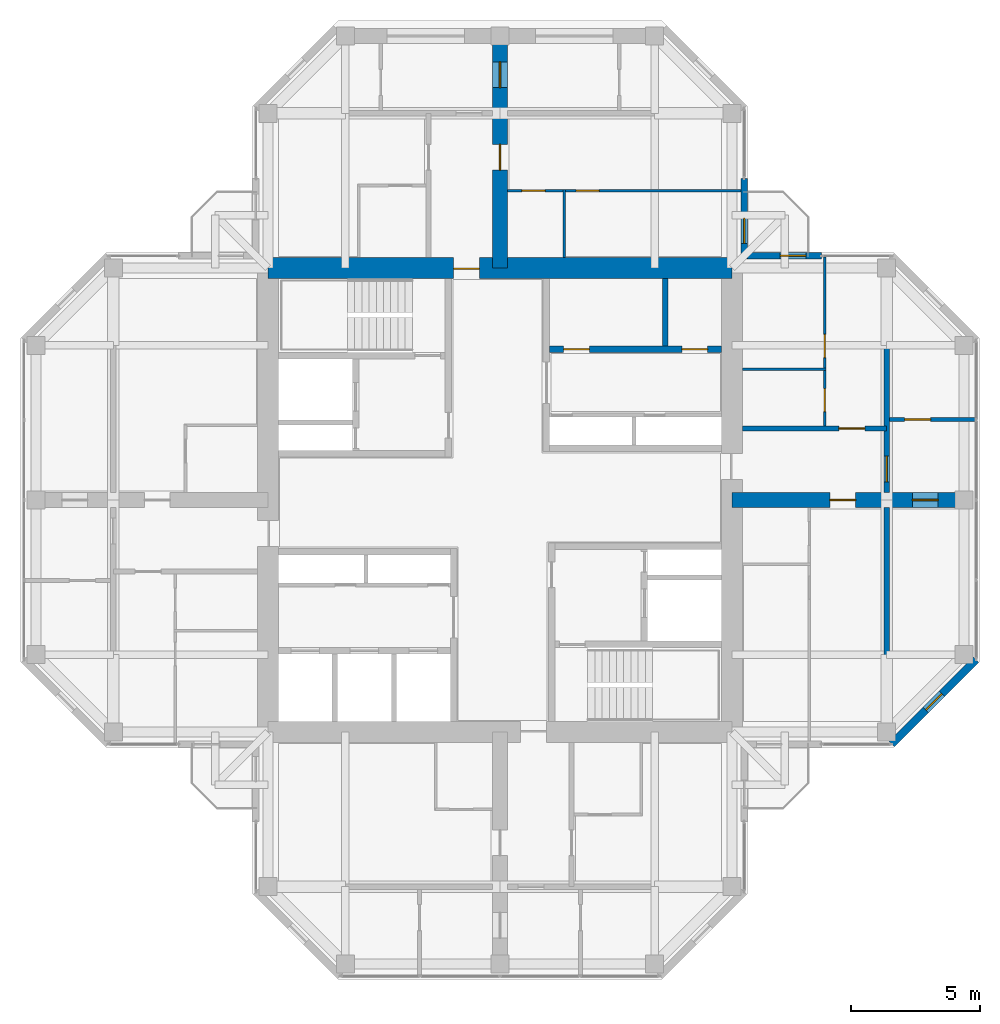
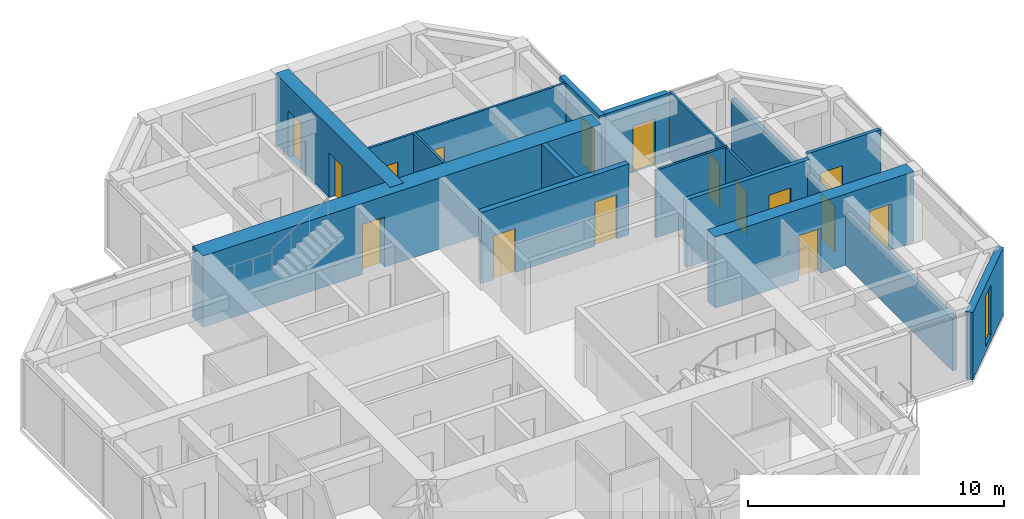
# One storey, part 11 of 13: 16 doors, 16 walls, 1 window, 17 openings.
"""IFC4 building model written with IfcOpenShell, lengths in metres."""

import ifcopenshell
import ifcopenshell.guid

model = None  # the IFC model being written
_history = None  # IfcOwnerHistory: only IFC2X3 demands one
_inside = {}  # id of a spatial element -> (the spatial element, [elements in it])
_under = {}  # id of a project, library or spatial element -> (it, [spatial elements below it])
_declared = {}  # id of a project -> (the project, [libraries it declares])
_typed = {}  # id of a type object -> (the type object, [elements of that type])
_made_of = {}  # id of a material, layer set ... -> (it, [elements and type objects made of it])


def new_model(schema):
    """Start an empty IFC model of exactly this schema.

    Asked for "IFC4X3", IfcOpenShell would pick the latest addendum, in which some entities
    have other attributes; the version numbers below select the first issue.
    IFC2X3 requires an IfcOwnerHistory on every rooted entity: one is made here for all.
    """
    global model, _history
    if schema == "IFC4X3":
        model = ifcopenshell.file(schema_version=(4, 3, 0, 0))
    else:
        model = ifcopenshell.file(schema=schema)
    _inside.clear()
    _under.clear()
    _declared.clear()
    _typed.clear()
    _made_of.clear()
    _history = None
    if model.schema == "IFC2X3":
        org = make("IfcOrganization", Name="unknown")
        user = make(
            "IfcPersonAndOrganization",
            ThePerson=make("IfcPerson", FamilyName="unknown"),
            TheOrganization=org,
        )
        app = make(
            "IfcApplication",
            ApplicationDeveloper=org,
            Version="unknown",
            ApplicationFullName="unknown",
            ApplicationIdentifier="unknown",
        )
        _history = make(
            "IfcOwnerHistory",
            OwningUser=user,
            OwningApplication=app,
            ChangeAction="ADDED",
            CreationDate=0,
        )
    return model


def make(cls, **values):
    """One entity of the class cls with the attributes given. An attribute that is None is left unset."""
    return model.create_entity(
        cls, **{name: value for name, value in values.items() if value is not None}
    )


def rooted(cls, **values):
    """An entity with a GlobalId (a new one), such as an element, a storey or a relation."""
    return make(cls, GlobalId=ifcopenshell.guid.new(), OwnerHistory=_history, **values)


def si_unit(unit_type, name, prefix=None):
    """IfcSIUnit, for example si_unit("LENGTHUNIT", "METRE", prefix="MILLI")."""
    return make("IfcSIUnit", UnitType=unit_type, Prefix=prefix, Name=name)


def assignment(units):
    """IfcUnitAssignment: the units of a project."""
    return None if units is None else make("IfcUnitAssignment", Units=units)


def point(xyz):
    """IfcCartesianPoint."""
    return None if xyz is None else make("IfcCartesianPoint", Coordinates=xyz)


def direction(xyz):
    """IfcDirection."""
    return None if xyz is None else make("IfcDirection", DirectionRatios=xyz)


def frame(location, z_axis=None, x_axis=None):
    """IfcAxis2Placement3D, a coordinate frame: its origin and axes. An axis left out is left unset."""
    return make(
        "IfcAxis2Placement3D",
        Location=point(location),
        Axis=direction(z_axis),
        RefDirection=direction(x_axis),
    )


def frame_2d(location, x_axis=None):
    """IfcAxis2Placement2D, a coordinate frame in the plane: its origin and x axis."""
    return make(
        "IfcAxis2Placement2D", Location=point(location), RefDirection=direction(x_axis)
    )


def origin():
    """The frame at (0, 0, 0) with its axes left unset."""
    return frame((0.0, 0.0, 0.0))


def place(relative_to, where):
    """IfcLocalPlacement: puts the frame where relative to a parent placement (None: the world)."""
    return make(
        "IfcLocalPlacement", PlacementRelTo=relative_to, RelativePlacement=where
    )


def context(
    kind, dimensions, precision=None, world=None, true_north=None, identifier=None
):
    """IfcGeometricRepresentationContext, for example the 3D "Model" context."""
    return make(
        "IfcGeometricRepresentationContext",
        ContextIdentifier=identifier,
        ContextType=kind,
        CoordinateSpaceDimension=dimensions,
        Precision=precision,
        WorldCoordinateSystem=world,
        TrueNorth=true_north,
    )


def subcontext(parent, identifier, kind, view, scale=None):
    """IfcGeometricRepresentationSubContext, for example "Body" below "Model"."""
    return make(
        "IfcGeometricRepresentationSubContext",
        ContextIdentifier=identifier,
        ContextType=kind,
        ParentContext=parent,
        TargetScale=scale,
        TargetView=view,
    )


def project(units=None, contexts=None):
    """IfcProject with its units and contexts."""
    return rooted(
        "IfcProject",
        Name="project",
        RepresentationContexts=contexts,
        UnitsInContext=assignment(units),
    )


def spatial(cls, under=None, at=None, **own):
    """A site, building, storey or space (cls), placed at a placement, below another one or the project."""
    s = rooted(cls, ObjectPlacement=at, **own)
    if under is not None:
        _under.setdefault(under.id(), (under, []))[1].append(s)
    return s


def profile(cls, at=None, kind="AREA", **sizes):
    """A parametric profile (cls). Its sizes go by their IFC names, for example OverallWidth=200.0."""
    return make(cls, ProfileType=kind, Position=at, **sizes)


def rectangle(**sizes):
    """IfcRectangleProfileDef."""
    return profile("IfcRectangleProfileDef", **sizes)


def hollow_rectangle(**sizes):
    """IfcRectangleHollowProfileDef."""
    return profile("IfcRectangleHollowProfileDef", **sizes)


def extrude(swept, where, along, depth):
    """IfcExtrudedAreaSolid: the profile swept, set in the frame where, extruded along a direction by depth."""
    return make(
        "IfcExtrudedAreaSolid",
        SweptArea=swept,
        Position=where,
        ExtrudedDirection=direction(along),
        Depth=depth,
    )


def shape(context_of_items, identifier, shape_type, items):
    """IfcShapeRepresentation: the items that make up one representation, for example the "Body"."""
    return make(
        "IfcShapeRepresentation",
        ContextOfItems=context_of_items,
        RepresentationIdentifier=identifier,
        RepresentationType=shape_type,
        Items=items,
    )


def material(Name=None, Category=None):
    """IfcMaterial."""
    return make("IfcMaterial", Name=Name, Category=Category)


def layer(
    of_material, thickness, ventilated=None, Name=None, Category=None, Priority=None
):
    """IfcMaterialLayer: one layer of a wall or slab, of a material (None: an air gap)."""
    return make(
        "IfcMaterialLayer",
        Material=of_material,
        LayerThickness=thickness,
        IsVentilated=ventilated,
        Name=Name,
        Category=Category,
        Priority=Priority,
    )


def layer_set(layers, Name=None):
    """IfcMaterialLayerSet."""
    return make("IfcMaterialLayerSet", MaterialLayers=layers, LayerSetName=Name)


def constituent(of_material, Name=None, Category=None, fraction=None):
    """IfcMaterialConstituent: one of the materials an element consists of."""
    return make(
        "IfcMaterialConstituent",
        Name=Name,
        Material=of_material,
        Fraction=fraction,
        Category=Category,
    )


def constituent_set(constituents=None, Name=None):
    """IfcMaterialConstituentSet."""
    return make(
        "IfcMaterialConstituentSet", Name=Name, MaterialConstituents=constituents
    )


def made_of(thing, what):
    """Note that an element or type object is made of a material, layer set ...; save() writes the relation."""
    if what is not None:
        _made_of.setdefault(what.id(), (what, []))[1].append(thing)
    return thing


def type_object(cls, material=None, **own):
    """A type object (cls), such as IfcWallType, which elements share."""
    return made_of(rooted(cls, **own), material)


def element(
    cls,
    number,
    at=None,
    inside=None,
    cuts=None,
    type_object=None,
    material=None,
    context=None,
    identifier="Body",
    shape_type=None,
    held_by="IfcProductDefinitionShape",
    body=None,
    shapes=None,
    **own,
):
    """One element of the class cls, such as IfcWall. Its Tag is "e" and its number.

    at: its placement. inside: the storey or other place that contains it. cuts: it is an
    opening in that element (IfcRelVoidsElement). A single representation is given by context,
    identifier, shape_type and body (its items); several are given by shapes. held_by: the class
    of the entity that holds the representations. save() writes the other relations.
    """
    e = rooted(cls, Tag="e%d" % number, ObjectPlacement=at, **own)
    if body is not None:
        shapes = [shape(context, identifier, shape_type, body)]
    if shapes is not None:
        e.Representation = make(held_by, Representations=shapes)
    if inside is not None:
        _inside.setdefault(inside.id(), (inside, []))[1].append(e)
    if cuts is not None:
        rooted(
            "IfcRelVoidsElement", RelatingBuildingElement=cuts, RelatedOpeningElement=e
        )
    if type_object is not None:
        _typed.setdefault(type_object.id(), (type_object, []))[1].append(e)
    return made_of(e, material)


def fill(opening, filler):
    """IfcRelFillsElement: the door or window that sits in an opening."""
    return rooted(
        "IfcRelFillsElement",
        RelatingOpeningElement=opening,
        RelatedBuildingElement=filler,
    )


def aggregate(whole, parts):
    """IfcRelAggregates: a whole, such as a stair, and the parts it consists of."""
    return rooted("IfcRelAggregates", RelatingObject=whole, RelatedObjects=parts)


def save(model, path):
    """Write the relations noted so far, then the file.

    IfcRelAggregates (storeys below a building ...), IfcRelContainedInSpatialStructure (elements
    in a storey), IfcRelDefinesByType, IfcRelAssociatesMaterial and IfcRelDeclares: one each for
    every whole, place, type object, material and project.
    """
    for whole, parts in _under.values():
        aggregate(whole, parts)
    for where, things in _inside.values():
        rooted(
            "IfcRelContainedInSpatialStructure",
            RelatedElements=things,
            RelatingStructure=where,
        )
    for kind, things in _typed.values():
        rooted("IfcRelDefinesByType", RelatedObjects=things, RelatingType=kind)
    for what, things in _made_of.values():
        rooted("IfcRelAssociatesMaterial", RelatedObjects=things, RelatingMaterial=what)
    for by, libraries in _declared.values():
        rooted("IfcRelDeclares", RelatingContext=by, RelatedDefinitions=libraries)
    model.write(path)


model = new_model("IFC4")

# Units and contexts
model_context = context("Model", 3, precision=1e-05, world=origin(), true_north=direction((0.0, 1.0)))
body_context = subcontext(model_context, "Body", "Model", "MODEL_VIEW")
ifc_project = project(units=[si_unit("LENGTHUNIT", "METRE"), si_unit("AREAUNIT", "SQUARE_METRE"), si_unit("VOLUMEUNIT", "CUBIC_METRE"), si_unit("PLANEANGLEUNIT", "RADIAN"), si_unit("MASSUNIT", "GRAM", prefix="KILO")], contexts=[model_context])

# Site, building, storey
site_placement = place(None, origin())
site = spatial("IfcSite", under=ifc_project, at=site_placement, CompositionType="ELEMENT")
building_placement = place(site_placement, origin())
building = spatial("IfcBuilding", under=site, at=building_placement, Name="Torre Cruceta", CompositionType="ELEMENT")
storey_placement = place(building_placement, frame((0.0, 0.0, 278.10009765625)))
storey = spatial("IfcBuildingStorey", under=building, at=storey_placement, Name="L72", CompositionType="ELEMENT", Elevation=278.10009765625)

# Wall
ifc_material_1 = material(Name="Water-resistant plasterboard on steel studs", Category="steel")
ifc_layer_1 = layer(ifc_material_1, 0.10009765625)
ifc_layer_set_1 = layer_set([ifc_layer_1], Name="Water-resistant plasterboard on steel studs")
wall_type_1 = type_object("IfcWallType", Name="BATHROOM WALL 100", PredefinedType="PARTITIONING", material=ifc_layer_set_1)
wall_1_placement = place(storey_placement, frame((2.5, 9.39990234375, 0.0), z_axis=(0.0, 0.0, 1.0), x_axis=(0.0, 1.0, 0.0)))
element("IfcWall", 1, at=wall_1_placement, inside=storey, type_object=wall_type_1, Name="PT4 L72-N-U1RBB", PredefinedType="PARTITIONING", context=body_context, shape_type="SweptSolid", body=[
    extrude(rectangle(XDim=2.650146484375, YDim=0.10009765625, at=frame_2d((1.3251953125, 0.0))), origin(), (0.0, 0.0, 1.0), 3.219970703125),
])

# Wall, openings, doors
wall_2_placement = place(storey_placement, frame((9.344970703125, 12.0, 0.0), z_axis=(0.0, 0.0, 1.0), x_axis=(-1.0, 0.0, 0.0)))
wall_2 = element("IfcWall", 2, at=wall_2_placement, inside=storey, type_object=wall_type_1, Name="PT4 L72-N-U1RBS", PredefinedType="PARTITIONING", context=body_context, shape_type="SweptSolid", body=[
    extrude(rectangle(XDim=9.044921875, YDim=0.10009765625, at=frame_2d((4.5224609375, 0.0))), origin(), (0.0, 0.0, 1.0), 3.219970703125),
])
opening_1_placement = place(wall_2_placement, frame((5.4951171875, 0.0, 0.0)))
opening_1 = element("IfcOpeningElement", 3, at=opening_1_placement, cuts=wall_2, Name="Opening D7", PredefinedType="OPENING", context=body_context, shape_type="SweptSolid", body=[
    extrude(rectangle(XDim=0.89990234375, YDim=2.10009765625, at=frame_2d((0.449951171875, 1.050048828125))), frame((0.0, 0.06005859375, 0.0), z_axis=(0.0, -1.0, 0.0), x_axis=(1.0, 0.0, 0.0)), (0.0, 0.0, 1.0), 0.1201171875),
])
opening_2_placement = place(wall_2_placement, frame((7.594970703125, 0.0, 0.0)))
opening_2 = element("IfcOpeningElement", 4, at=opening_2_placement, cuts=wall_2, Name="Opening D7", PredefinedType="OPENING", context=body_context, shape_type="SweptSolid", body=[
    extrude(rectangle(XDim=0.89990234375, YDim=2.10009765625, at=frame_2d((0.449951171875, 1.050048828125))), frame((0.0, 0.06005859375, 0.0), z_axis=(0.0, -1.0, 0.0), x_axis=(1.0, 0.0, 0.0)), (0.0, 0.0, 1.0), 0.1201171875),
])
ifc_material_2 = material(Name="Timber door", Category="wood")
door_type_1 = type_object("IfcDoorType", Name="BATHROOM DOOR 900X2100", OperationType="SINGLE_SWING_LEFT", PredefinedType="DOOR", material=ifc_material_2)
door_1_placement = place(opening_1_placement, origin())
door_1 = element("IfcDoor", 5, at=door_1_placement, inside=storey, type_object=door_type_1, Name="D7 L72-N-U1RBS-D1", OperationType="SINGLE_SWING_RIGHT", OverallHeight=2.10009765625, OverallWidth=0.89990234375, PredefinedType="DOOR", context=body_context, shape_type="SweptSolid", body=[
    extrude(rectangle(XDim=0.89990234375, YDim=2.10009765625, at=frame_2d((0.449951171875, 1.050048828125))), frame((0.0, 0.02490234375, 0.0), z_axis=(0.0, -1.0, 0.0), x_axis=(1.0, 0.0, 0.0)), (0.0, 0.0, 1.0), 0.050048828125),
])
fill(opening_1, door_1)
door_2_placement = place(opening_2_placement, origin())
door_2 = element("IfcDoor", 6, at=door_2_placement, inside=storey, type_object=door_type_1, Name="D7 L72-N-U1RBS-D2", OperationType="SINGLE_SWING_RIGHT", OverallHeight=2.10009765625, OverallWidth=0.89990234375, PredefinedType="DOOR", context=body_context, shape_type="SweptSolid", body=[
    extrude(rectangle(XDim=0.89990234375, YDim=2.10009765625, at=frame_2d((0.449951171875, 1.050048828125))), frame((0.0, 0.02490234375, 0.0), z_axis=(0.0, -1.0, 0.0), x_axis=(1.0, 0.0, 0.0)), (0.0, 0.0, 1.0), 0.050048828125),
])
fill(opening_2, door_2)

# Wall
wall_3_placement = place(storey_placement, frame((9.39990234375, 5.074951171875, 0.0), z_axis=(0.0, 0.0, 1.0), x_axis=(1.0, 0.0, 0.0)))
element("IfcWall", 7, at=wall_3_placement, inside=storey, type_object=wall_type_1, Name="PT4 L72-E-U1LBB", PredefinedType="PARTITIONING", context=body_context, shape_type="SweptSolid", body=[
    extrude(rectangle(XDim=3.25, YDim=0.10009765625, at=frame_2d((1.625, 0.0))), origin(), (0.0, 0.0, 1.0), 3.219970703125),
])

# Wall, openings, doors
wall_4_placement = place(storey_placement, frame((12.60009765625, 2.875, 0.0), z_axis=(0.0, 0.0, 1.0), x_axis=(0.0, 1.0, 0.0)))
wall_4 = element("IfcWall", 8, at=wall_4_placement, inside=storey, type_object=wall_type_1, Name="PT4 L72-E-U1LBS", PredefinedType="PARTITIONING", context=body_context, shape_type="SweptSolid", body=[
    extrude(rectangle(XDim=6.554931640625, YDim=0.10009765625, at=frame_2d((3.27734375, 0.0))), origin(), (0.0, 0.0, 1.0), 3.219970703125),
])
opening_3_placement = place(wall_4_placement, frame((0.550048828125, 0.0, 0.0)))
opening_3 = element("IfcOpeningElement", 9, at=opening_3_placement, cuts=wall_4, Name="Opening D7", PredefinedType="OPENING", context=body_context, shape_type="SweptSolid", body=[
    extrude(rectangle(XDim=0.89990234375, YDim=2.10009765625, at=frame_2d((0.449951171875, 1.050048828125))), frame((0.0, 0.06005859375, 0.0), z_axis=(0.0, -1.0, 0.0), x_axis=(1.0, 0.0, 0.0)), (0.0, 0.0, 1.0), 0.1201171875),
])
opening_4_placement = place(wall_4_placement, frame((2.64990234375, 0.0, 0.0)))
opening_4 = element("IfcOpeningElement", 10, at=opening_4_placement, cuts=wall_4, Name="Opening D7", PredefinedType="OPENING", context=body_context, shape_type="SweptSolid", body=[
    extrude(rectangle(XDim=0.89990234375, YDim=2.10009765625, at=frame_2d((0.449951171875, 1.050048828125))), frame((0.0, 0.06005859375, 0.0), z_axis=(0.0, -1.0, 0.0), x_axis=(1.0, 0.0, 0.0)), (0.0, 0.0, 1.0), 0.1201171875),
])
door_3_placement = place(opening_3_placement, origin())
door_3 = element("IfcDoor", 11, at=door_3_placement, inside=storey, type_object=door_type_1, Name="D7 L72-E-U1LBS-D1", OperationType="SINGLE_SWING_LEFT", OverallHeight=2.10009765625, OverallWidth=0.89990234375, PredefinedType="DOOR", context=body_context, shape_type="SweptSolid", body=[
    extrude(rectangle(XDim=0.89990234375, YDim=2.10009765625, at=frame_2d((0.449951171875, 1.050048828125))), frame((0.0, 0.02490234375, 0.0), z_axis=(0.0, -1.0, 0.0), x_axis=(1.0, 0.0, 0.0)), (0.0, 0.0, 1.0), 0.050048828125),
])
fill(opening_3, door_3)
door_4_placement = place(opening_4_placement, origin())
door_4 = element("IfcDoor", 12, at=door_4_placement, inside=storey, type_object=door_type_1, Name="D7 L72-E-U1LBS-D2", OperationType="SINGLE_SWING_LEFT", OverallHeight=2.10009765625, OverallWidth=0.89990234375, PredefinedType="DOOR", context=body_context, shape_type="SweptSolid", body=[
    extrude(rectangle(XDim=0.89990234375, YDim=2.10009765625, at=frame_2d((0.449951171875, 1.050048828125))), frame((0.0, 0.02490234375, 0.0), z_axis=(0.0, -1.0, 0.0), x_axis=(1.0, 0.0, 0.0)), (0.0, 0.0, 1.0), 0.050048828125),
])
fill(opening_4, door_4)

ifc_material_3 = material(Name="Concrete G60 (fck 60 MPa)", Category="concrete")
ifc_layer_2 = layer(ifc_material_3, 0.25)
ifc_layer_set_2 = layer_set([ifc_layer_2], Name="Concrete G60 (fck 60 MPa)")
wall_type_2 = type_object("IfcWallType", Name="CORE INNER WALL 250 G60", PredefinedType="SHEAR", material=ifc_layer_set_2)
wall_5_placement = place(storey_placement, frame((1.925048828125, 5.85009765625, 0.0), z_axis=(0.0, 0.0, 1.0), x_axis=(1.0, 0.0, 0.0)))
wall_5 = element("IfcWall", 13, at=wall_5_placement, inside=storey, type_object=wall_type_2, Name="CW4 L72 NE-LV", PredefinedType="SHEAR", context=body_context, shape_type="SweptSolid", body=[
    extrude(rectangle(XDim=6.675048828125, YDim=0.25, at=frame_2d((3.33740234375, 0.0))), origin(), (0.0, 0.0, 1.0), 3.39990234375),
])
opening_5_placement = place(wall_5_placement, frame((0.5458984375, 0.0, 0.0)))
opening_5 = element("IfcOpeningElement", 14, at=opening_5_placement, cuts=wall_5, Name="Opening D3", PredefinedType="OPENING", context=body_context, shape_type="SweptSolid", body=[
    extrude(rectangle(XDim=1.0, YDim=2.10009765625, at=frame_2d((0.5, 1.050048828125))), frame((0.0, 0.135009765625, 0.0), z_axis=(0.0, -1.0, 0.0), x_axis=(1.0, 0.0, 0.0)), (0.0, 0.0, 1.0), 0.27001953125),
])
opening_6_placement = place(wall_5_placement, frame((5.129150390625, 0.0, 0.0)))
opening_6 = element("IfcOpeningElement", 15, at=opening_6_placement, cuts=wall_5, Name="Opening D3", PredefinedType="OPENING", context=body_context, shape_type="SweptSolid", body=[
    extrude(rectangle(XDim=1.0, YDim=2.10009765625, at=frame_2d((0.5, 1.050048828125))), frame((0.0, 0.135009765625, 0.0), z_axis=(0.0, -1.0, 0.0), x_axis=(1.0, 0.0, 0.0)), (0.0, 0.0, 1.0), 0.27001953125),
])
ifc_material_4 = material(Name="Steel DX51D", Category="steel")
ifc_constituent_1 = constituent(ifc_material_4, Name="Leaf and frame")
ifc_material_5 = material(Name="Polyester powder coating", Category="paint")
ifc_constituent_2 = constituent(ifc_material_5, Name="Finish")
ifc_constituent_set_1 = constituent_set(constituents=[ifc_constituent_1, ifc_constituent_2], Name="Steel fire door")
door_type_2 = type_object("IfcDoorType", Name="FIRE DOOR 1000X2100", OperationType="SINGLE_SWING_LEFT", PredefinedType="DOOR", material=ifc_constituent_set_1)
door_5_placement = place(opening_5_placement, origin())
door_5 = element("IfcDoor", 16, at=door_5_placement, inside=storey, type_object=door_type_2, Name="D3 L72 NE-HR1", OperationType="SINGLE_SWING_LEFT", OverallHeight=2.10009765625, OverallWidth=1.0, PredefinedType="DOOR", context=body_context, shape_type="SweptSolid", body=[
    extrude(rectangle(XDim=1.0, YDim=2.10009765625, at=frame_2d((0.5, 1.050048828125))), frame((0.0, 0.02490234375, 0.0), z_axis=(0.0, -1.0, 0.0), x_axis=(1.0, 0.0, 0.0)), (0.0, 0.0, 1.0), 0.050048828125),
])
fill(opening_5, door_5)
door_6_placement = place(opening_6_placement, origin())
door_6 = element("IfcDoor", 17, at=door_6_placement, inside=storey, type_object=door_type_2, Name="D3 L72 NE-HR2", OperationType="SINGLE_SWING_RIGHT", OverallHeight=2.10009765625, OverallWidth=1.0, PredefinedType="DOOR", context=body_context, shape_type="SweptSolid", body=[
    extrude(rectangle(XDim=1.0, YDim=2.10009765625, at=frame_2d((0.5, 1.050048828125))), frame((0.0, 0.02490234375, 0.0), z_axis=(0.0, -1.0, 0.0), x_axis=(1.0, 0.0, 0.0)), (0.0, 0.0, 1.0), 0.050048828125),
])
fill(opening_6, door_6)

# Wall, opening, door
ifc_material_6 = material(Name="Concrete G60 (fck 60 MPa)", Category="concrete")
ifc_layer_3 = layer(ifc_material_6, 0.800048828125)
ifc_layer_set_3 = layer_set([ifc_layer_3], Name="Concrete G60 (fck 60 MPa)")
wall_type_3 = type_object("IfcWallType", Name="CORE WALL 800 G60", PredefinedType="SHEAR", material=ifc_layer_set_3)
wall_6_placement = place(storey_placement, frame((9.0, 9.0, 0.0), z_axis=(0.0, 0.0, 1.0), x_axis=(-1.0, 0.0, 0.0)))
wall_6 = element("IfcWall", 18, at=wall_6_placement, inside=storey, type_object=wall_type_3, Name="CW3 L72 CW-N", PredefinedType="SHEAR", context=body_context, shape_type="SweptSolid", body=[
    extrude(rectangle(XDim=18.0, YDim=0.800048828125, at=frame_2d((9.0, 0.0))), origin(), (0.0, 0.0, 1.0), 3.39990234375),
])
opening_7_placement = place(wall_6_placement, frame((9.800048828125, 0.0, 0.0)))
opening_7 = element("IfcOpeningElement", 19, at=opening_7_placement, cuts=wall_6, Name="Opening D4", PredefinedType="OPENING", context=body_context, shape_type="SweptSolid", body=[
    extrude(rectangle(XDim=1.0, YDim=2.39990234375, at=frame_2d((0.5, 1.199951171875))), frame((0.0, 0.409912109375, 0.0), z_axis=(0.0, -1.0, 0.0), x_axis=(1.0, 0.0, 0.0)), (0.0, 0.0, 1.0), 0.820068359375),
])
ifc_material_7 = material(Name="Steel DX51D", Category="steel")
ifc_constituent_3 = constituent(ifc_material_7, Name="Leaf and frame")
ifc_material_8 = material(Name="Polyester powder coating", Category="paint")
ifc_constituent_4 = constituent(ifc_material_8, Name="Finish")
ifc_constituent_set_2 = constituent_set(constituents=[ifc_constituent_3, ifc_constituent_4], Name="Steel fire door")
door_type_3 = type_object("IfcDoorType", Name="CORE ARM DOOR 1000X2400", OperationType="SINGLE_SWING_RIGHT", PredefinedType="DOOR", material=ifc_constituent_set_2)
door_7_placement = place(opening_7_placement, origin())
door_7 = element("IfcDoor", 20, at=door_7_placement, inside=storey, type_object=door_type_3, Name="D4 L72 CW-N", OperationType="SINGLE_SWING_RIGHT", OverallHeight=2.39990234375, OverallWidth=1.0, PredefinedType="DOOR", context=body_context, shape_type="SweptSolid", body=[
    extrude(rectangle(XDim=1.0, YDim=2.39990234375, at=frame_2d((0.5, 1.199951171875))), frame((0.0, 0.05517578125, 0.0), z_axis=(0.0, -1.0, 0.0), x_axis=(1.0, 0.0, 0.0)), (0.0, 0.0, 1.0), 0.050048828125),
])
fill(opening_7, door_7)

ifc_material_9 = material(Name="Concrete G25 (fck 25 MPa)", Category="concrete")
ifc_layer_4 = layer(ifc_material_9, 0.199951171875)
ifc_layer_set_4 = layer_set([ifc_layer_4], Name="Concrete G25 (fck 25 MPa)")
wall_type_4 = type_object("IfcWallType", Name="CORRIDOR WALL 200", PredefinedType="SOLIDWALL", material=ifc_layer_set_4)
wall_7_placement = place(storey_placement, frame((9.39990234375, 2.77490234375, 0.0), z_axis=(0.0, 0.0, 1.0), x_axis=(1.0, 0.0, 0.0)))
wall_7 = element("IfcWall", 21, at=wall_7_placement, inside=storey, type_object=wall_type_4, Name="PT3 L72-E-CL", PredefinedType="SOLIDWALL", context=body_context, shape_type="SweptSolid", body=[
    extrude(rectangle(XDim=5.60009765625, YDim=0.199951171875, at=frame_2d((2.800048828125, 0.0))), origin(), (0.0, 0.0, 1.0), 3.219970703125),
])
opening_8_placement = place(wall_7_placement, frame((3.75, 0.0, 0.0)))
opening_8 = element("IfcOpeningElement", 22, at=opening_8_placement, cuts=wall_7, Name="Opening D6", PredefinedType="OPENING", context=body_context, shape_type="SweptSolid", body=[
    extrude(rectangle(XDim=1.0, YDim=2.14990234375, at=frame_2d((0.5, 1.074951171875))), frame((0.0, 0.10986328125, 0.0), z_axis=(0.0, -1.0, 0.0), x_axis=(1.0, 0.0, 0.0)), (0.0, 0.0, 1.0), 0.219970703125),
])
ifc_material_10 = material(Name="Timber fire door", Category="wood")
door_type_4 = type_object("IfcDoorType", Name="UNIT ENTRANCE DOOR 1000X2150", OperationType="SINGLE_SWING_LEFT", PredefinedType="DOOR", material=ifc_material_10)
door_8_placement = place(opening_8_placement, origin())
door_8 = element("IfcDoor", 23, at=door_8_placement, inside=storey, type_object=door_type_4, Name="D6 L72-E-CL-D1", OperationType="SINGLE_SWING_LEFT", OverallHeight=2.14990234375, OverallWidth=1.0, PredefinedType="DOOR", context=body_context, shape_type="SweptSolid", body=[
    extrude(rectangle(XDim=1.0, YDim=2.14990234375, at=frame_2d((0.5, 1.074951171875))), frame((0.0, 0.02490234375, 0.0), z_axis=(0.0, -1.0, 0.0), x_axis=(1.0, 0.0, 0.0)), (0.0, 0.0, 1.0), 0.050048828125),
])
fill(opening_8, door_8)

# Wall, opening, window
ifc_material_11 = material(Name="Concrete G30 (fck 30 MPa)", Category="concrete")
ifc_layer_5 = layer(ifc_material_11, 0.300048828125)
ifc_layer_set_5 = layer_set([ifc_layer_5], Name="Concrete G30 (fck 30 MPa)")
wall_type_5 = type_object("IfcWallType", Name="EXPOSED CONCRETE FACADE WALL 300", PredefinedType="SOLIDWALL", material=ifc_layer_set_5)
wall_8_placement = place(storey_placement, frame((15.194580078125, -9.469970703125, 0.0), z_axis=(0.0, 0.0, 1.0), x_axis=(0.707106781187, 0.707106781187, 0.0)))
wall_8 = element("IfcWall", 24, at=wall_8_placement, inside=storey, type_object=wall_type_5, Name="EW1 facade wall L72 E chamfer 01", PredefinedType="SOLIDWALL", context=body_context, shape_type="SweptSolid", body=[
    extrude(rectangle(XDim=4.632080078125, YDim=0.300048828125, at=frame_2d((2.31591796875, 0.0))), origin(), (0.0, 0.0, 1.0), 3.219970703125),
])
opening_9_placement = place(wall_8_placement, frame((1.865966796875, 0.0, 0.300048828125)))
opening_9 = element("IfcOpeningElement", 25, at=opening_9_placement, cuts=wall_8, Name="Opening WN5", PredefinedType="OPENING", context=body_context, shape_type="SweptSolid", body=[
    extrude(rectangle(XDim=0.89990234375, YDim=2.39990234375, at=frame_2d((0.449951171875, 1.199951171875))), frame((0.0, 0.159912109375, 0.0), z_axis=(0.0, -1.0, 0.0), x_axis=(1.0, 0.0, 0.0)), (0.0, 0.0, 1.0), 0.320068359375),
])
ifc_material_12 = material(Name="Aluminium window frame", Category="aluminium")
ifc_constituent_5 = constituent(ifc_material_12, Name="Frame")
ifc_material_13 = material(Name="Laminated insulating glass unit, low-iron clear", Category="glass")
ifc_constituent_6 = constituent(ifc_material_13, Name="Glazing")
ifc_constituent_set_3 = constituent_set(constituents=[ifc_constituent_5, ifc_constituent_6], Name="Aluminium window")
window_type = type_object("IfcWindowType", Name="CHAMFER SLOT WINDOW 900X2400", PartitioningType="SINGLE_PANEL", PredefinedType="WINDOW", material=ifc_constituent_set_3)
window_placement = place(opening_9_placement, origin())
window = element("IfcWindow", 26, at=window_placement, inside=storey, type_object=window_type, Name="WN5 L72 E 1", OverallHeight=2.39990234375, OverallWidth=0.89990234375, PartitioningType="SINGLE_PANEL", PredefinedType="WINDOW", context=body_context, shape_type="SweptSolid", body=[
    extrude(hollow_rectangle(XDim=0.89990234375, YDim=2.39990234375, WallThickness=0.06005859375, at=frame_2d((0.449951171875, 1.199951171875))), frame((0.0, 0.030029296875, 0.0), z_axis=(0.0, -1.0, 0.0), x_axis=(1.0, 0.0, 0.0)), (0.0, 0.0, 1.0), 0.06005859375),
    extrude(rectangle(XDim=0.77880859375, YDim=2.27880859375, at=frame_2d((0.449951171875, 1.199951171875))), frame((0.0, 0.030029296875, 0.0), z_axis=(0.0, -1.0, 0.0), x_axis=(1.0, 0.0, 0.0)), (0.0, 0.0, 1.0), 0.06005859375),
])
fill(opening_9, window)

# Wall
ifc_material_14 = material(Name="Concrete G35 (fck 35 MPa)", Category="concrete")
ifc_layer_6 = layer(ifc_material_14, 0.199951171875)
ifc_layer_set_6 = layer_set([ifc_layer_6], Name="Concrete G35 (fck 35 MPa)")
wall_type_6 = type_object("IfcWallType", Name="LIFT SHAFT WALL 200", PredefinedType="PARTITIONING", material=ifc_layer_set_6)
wall_9_placement = place(storey_placement, frame((6.408447265625, 5.97509765625, 0.0), z_axis=(0.0, 0.0, 1.0), x_axis=(0.0, 1.0, 0.0)))
element("IfcWall", 27, at=wall_9_placement, inside=storey, type_object=wall_type_6, Name="SW1 L72 NE-LS2", PredefinedType="PARTITIONING", context=body_context, shape_type="SweptSolid", body=[
    extrude(rectangle(XDim=2.625, YDim=0.199951171875, at=frame_2d((1.3125, 0.0))), origin(), (0.0, 0.0, 1.0), 3.39990234375),
])

# Wall, opening, door
ifc_material_15 = material(Name="Plasterboard on steel studs", Category="steel")
ifc_layer_7 = layer(ifc_material_15, 0.14990234375)
ifc_layer_set_7 = layer_set([ifc_layer_7], Name="Plasterboard on steel studs")
wall_type_7 = type_object("IfcWallType", Name="PARTITION 150", PredefinedType="PARTITIONING", material=ifc_layer_set_7)
wall_10_placement = place(storey_placement, frame((15.10009765625, 3.117919921875, 0.0), z_axis=(0.0, 0.0, 1.0), x_axis=(1.0, 0.0, 0.0)))
wall_10 = element("IfcWall", 28, at=wall_10_placement, inside=storey, type_object=wall_type_7, Name="PT1 L72-E-ENDX", PredefinedType="PARTITIONING", context=body_context, shape_type="SweptSolid", body=[
    extrude(rectangle(XDim=3.329833984375, YDim=0.14990234375, at=frame_2d((1.6650390625, 0.0))), origin(), (0.0, 0.0, 1.0), 3.219970703125),
])
opening_10_placement = place(wall_10_placement, frame((0.60009765625, 0.0, 0.0)))
opening_10 = element("IfcOpeningElement", 29, at=opening_10_placement, cuts=wall_10, Name="Opening D3", PredefinedType="OPENING", context=body_context, shape_type="SweptSolid", body=[
    extrude(rectangle(XDim=1.0, YDim=2.10009765625, at=frame_2d((0.5, 1.050048828125))), frame((0.0, 0.0849609375, 0.0), z_axis=(0.0, -1.0, 0.0), x_axis=(1.0, 0.0, 0.0)), (0.0, 0.0, 1.0), 0.169921875),
])
door_9_placement = place(opening_10_placement, frame((1.0, 0.0, 0.0), z_axis=(0.0, 0.0, 1.0), x_axis=(-1.0, 0.0, 0.0)))
door_9 = element("IfcDoor", 30, at=door_9_placement, inside=storey, type_object=door_type_2, Name="D3 L72-E-ENDX-D1", OperationType="SINGLE_SWING_RIGHT", OverallHeight=2.10009765625, OverallWidth=1.0, PredefinedType="DOOR", context=body_context, shape_type="SweptSolid", body=[
    extrude(rectangle(XDim=1.0, YDim=2.10009765625, at=frame_2d((0.5, 1.050048828125))), frame((0.0, 0.025146484375, 0.0), z_axis=(0.0, -1.0, 0.0), x_axis=(1.0, 0.0, 0.0)), (0.0, 0.0, 1.0), 0.050048828125),
])
fill(opening_10, door_9)

# Wall, openings, doors
ifc_material_16 = material(Name="Concrete G60 (fck 60 MPa)", Category="concrete")
ifc_layer_8 = layer(ifc_material_16, 0.60009765625)
ifc_layer_set_8 = layer_set([ifc_layer_8], Name="Concrete G60 (fck 60 MPa)")
wall_type_8 = type_object("IfcWallType", Name="SPINE WALL 600 G60", PredefinedType="SHEAR", material=ifc_layer_set_8)
wall_11_placement = place(storey_placement, frame((0.0, 9.0, 0.0), z_axis=(0.0, 0.0, 1.0), x_axis=(0.0, 1.0, 0.0)))
wall_11 = element("IfcWall", 31, at=wall_11_placement, inside=storey, type_object=wall_type_8, Name="SW5 spine wall L72 N", PredefinedType="SHEAR", context=body_context, shape_type="SweptSolid", body=[
    extrude(rectangle(XDim=9.0, YDim=0.60009765625, at=frame_2d((4.5, 0.0))), origin(), (0.0, 0.0, 1.0), 3.39990234375),
])
opening_11_placement = place(wall_11_placement, frame((3.800048828125, 0.0, 0.0)))
opening_11 = element("IfcOpeningElement", 32, at=opening_11_placement, cuts=wall_11, Name="Opening D6", PredefinedType="OPENING", context=body_context, shape_type="SweptSolid", body=[
    extrude(rectangle(XDim=1.0, YDim=2.14990234375, at=frame_2d((0.5, 1.074951171875))), frame((0.0, 0.31005859375, 0.0), z_axis=(0.0, -1.0, 0.0), x_axis=(1.0, 0.0, 0.0)), (0.0, 0.0, 1.0), 0.6201171875),
])
opening_12_placement = place(wall_11_placement, frame((7.0, 0.0, 0.0)))
opening_12 = element("IfcOpeningElement", 33, at=opening_12_placement, cuts=wall_11, Name="Opening D14", PredefinedType="OPENING", context=body_context, shape_type="SweptSolid", body=[
    extrude(rectangle(XDim=1.0, YDim=2.199951171875, at=frame_2d((0.5, 1.10009765625))), frame((0.0, 0.31005859375, 0.0), z_axis=(0.0, -1.0, 0.0), x_axis=(1.0, 0.0, 0.0)), (0.0, 0.0, 1.0), 0.6201171875),
])
ifc_material_17 = material(Name="Steel DX51D", Category="steel")
ifc_constituent_7 = constituent(ifc_material_17, Name="Leaf and frame")
ifc_material_18 = material(Name="Polyester powder coating", Category="paint")
ifc_constituent_8 = constituent(ifc_material_18, Name="Finish")
ifc_material_19 = material(Name="Fire-resisting glass", Category="glass")
ifc_constituent_9 = constituent(ifc_material_19, Name="Vision panel")
ifc_constituent_set_4 = constituent_set(constituents=[ifc_constituent_7, ifc_constituent_8, ifc_constituent_9], Name="Steel fire door with vision panel")
door_type_5 = type_object("IfcDoorType", Name="FIRE DOOR VISION PANEL 1000X2200", OperationType="SINGLE_SWING_RIGHT", PredefinedType="DOOR", material=ifc_constituent_set_4)
door_10_placement = place(opening_12_placement, origin())
door_10 = element("IfcDoor", 34, at=door_10_placement, inside=storey, type_object=door_type_5, Name="D14 L72-N-SP2", OperationType="SINGLE_SWING_RIGHT", OverallHeight=2.199951171875, OverallWidth=1.0, PredefinedType="DOOR", context=body_context, shape_type="SweptSolid", body=[
    extrude(rectangle(XDim=1.0, YDim=2.199951171875, at=frame_2d((0.5, 1.10009765625))), frame((0.0, 0.02490234375, 0.0), z_axis=(0.0, -1.0, 0.0), x_axis=(1.0, 0.0, 0.0)), (0.0, 0.0, 1.0), 0.050048828125),
])
fill(opening_12, door_10)
door_11_placement = place(opening_11_placement, frame((1.0, 0.0, 0.0), z_axis=(0.0, 0.0, 1.0), x_axis=(-1.0, 0.0, 0.0)))
door_11 = element("IfcDoor", 35, at=door_11_placement, inside=storey, type_object=door_type_4, Name="D6 L72-N-SP1", OperationType="SINGLE_SWING_RIGHT", OverallHeight=2.14990234375, OverallWidth=1.0, PredefinedType="DOOR", context=body_context, shape_type="SweptSolid", body=[
    extrude(rectangle(XDim=1.0, YDim=2.14990234375, at=frame_2d((0.5, 1.074951171875))), frame((0.0, 0.025146484375, 0.0), z_axis=(0.0, -1.0, 0.0), x_axis=(1.0, 0.0, 0.0)), (0.0, 0.0, 1.0), 0.050048828125),
])
fill(opening_11, door_11)

wall_12_placement = place(storey_placement, frame((9.0, 0.0, 0.0), z_axis=(0.0, 0.0, 1.0), x_axis=(1.0, 0.0, 0.0)))
wall_12 = element("IfcWall", 36, at=wall_12_placement, inside=storey, type_object=wall_type_8, Name="SW5 spine wall L72 E", PredefinedType="SHEAR", context=body_context, shape_type="SweptSolid", body=[
    extrude(rectangle(XDim=9.0, YDim=0.60009765625, at=frame_2d((4.5, 0.0))), origin(), (0.0, 0.0, 1.0), 3.39990234375),
])
opening_13_placement = place(wall_12_placement, frame((3.800048828125, 0.0, 0.0)))
opening_13 = element("IfcOpeningElement", 37, at=opening_13_placement, cuts=wall_12, Name="Opening D6", PredefinedType="OPENING", context=body_context, shape_type="SweptSolid", body=[
    extrude(rectangle(XDim=1.0, YDim=2.14990234375, at=frame_2d((0.5, 1.074951171875))), frame((0.0, 0.31005859375, 0.0), z_axis=(0.0, -1.0, 0.0), x_axis=(1.0, 0.0, 0.0)), (0.0, 0.0, 1.0), 0.6201171875),
])
opening_14_placement = place(wall_12_placement, frame((7.0, 0.0, 0.0)))
opening_14 = element("IfcOpeningElement", 38, at=opening_14_placement, cuts=wall_12, Name="Opening D14", PredefinedType="OPENING", context=body_context, shape_type="SweptSolid", body=[
    extrude(rectangle(XDim=1.0, YDim=2.199951171875, at=frame_2d((0.5, 1.10009765625))), frame((0.0, 0.31005859375, 0.0), z_axis=(0.0, -1.0, 0.0), x_axis=(1.0, 0.0, 0.0)), (0.0, 0.0, 1.0), 0.6201171875),
])
door_12_placement = place(opening_14_placement, origin())
door_12 = element("IfcDoor", 39, at=door_12_placement, inside=storey, type_object=door_type_5, Name="D14 L72-E-SP2", OperationType="SINGLE_SWING_LEFT", OverallHeight=2.199951171875, OverallWidth=1.0, PredefinedType="DOOR", context=body_context, shape_type="SweptSolid", body=[
    extrude(rectangle(XDim=1.0, YDim=2.199951171875, at=frame_2d((0.5, 1.10009765625))), frame((0.0, 0.02490234375, 0.0), z_axis=(0.0, -1.0, 0.0), x_axis=(1.0, 0.0, 0.0)), (0.0, 0.0, 1.0), 0.050048828125),
])
fill(opening_14, door_12)
door_13_placement = place(opening_13_placement, frame((1.0, 0.0, 0.0), z_axis=(0.0, 0.0, 1.0), x_axis=(-1.0, 0.0, 0.0)))
door_13 = element("IfcDoor", 40, at=door_13_placement, inside=storey, type_object=door_type_4, Name="D6 L72-E-SP1", OperationType="SINGLE_SWING_RIGHT", OverallHeight=2.14990234375, OverallWidth=1.0, PredefinedType="DOOR", context=body_context, shape_type="SweptSolid", body=[
    extrude(rectangle(XDim=1.0, YDim=2.14990234375, at=frame_2d((0.5, 1.074951171875))), frame((0.0, 0.025146484375, 0.0), z_axis=(0.0, -1.0, 0.0), x_axis=(1.0, 0.0, 0.0)), (0.0, 0.0, 1.0), 0.050048828125),
])
fill(opening_13, door_13)

# Wall
ifc_material_20 = material(Name="Concrete G25 (fck 25 MPa)", Category="concrete")
ifc_layer_9 = layer(ifc_material_20, 0.199951171875)
ifc_layer_set_9 = layer_set([ifc_layer_9], Name="Concrete G25 (fck 25 MPa)")
wall_type_9 = type_object("IfcWallType", Name="UNIT SEPARATING WALL 200", PredefinedType="SOLIDWALL", material=ifc_layer_set_9)
wall_13_placement = place(storey_placement, frame((15.0, -8.64990234375, 0.0), z_axis=(0.0, 0.0, 1.0), x_axis=(0.0, 1.0, 0.0)))
element("IfcWall", 41, at=wall_13_placement, inside=storey, type_object=wall_type_9, Name="PT2 L72-E-ENDa", PredefinedType="SOLIDWALL", context=body_context, shape_type="SweptSolid", body=[
    extrude(rectangle(XDim=8.349853515625, YDim=0.199951171875, at=frame_2d((4.1748046875, 0.0))), origin(), (0.0, 0.0, 1.0), 2.52001953125),
])

# Wall, opening, door
wall_14_placement = place(storey_placement, frame((15.0, 0.300048828125, 0.0), z_axis=(0.0, 0.0, 1.0), x_axis=(0.0, 1.0, 0.0)))
wall_14 = element("IfcWall", 42, at=wall_14_placement, inside=storey, type_object=wall_type_9, Name="PT2 L72-E-ENDb", PredefinedType="SOLIDWALL", context=body_context, shape_type="SweptSolid", body=[
    extrude(rectangle(XDim=8.349853515625, YDim=0.199951171875, at=frame_2d((4.1748046875, 0.0))), origin(), (0.0, 0.0, 1.0), 2.52001953125),
])
opening_15_placement = place(wall_14_placement, frame((0.39990234375, 0.0, 0.0)))
opening_15 = element("IfcOpeningElement", 43, at=opening_15_placement, cuts=wall_14, Name="Opening D14", PredefinedType="OPENING", context=body_context, shape_type="SweptSolid", body=[
    extrude(rectangle(XDim=1.0, YDim=2.199951171875, at=frame_2d((0.5, 1.10009765625))), frame((0.0, 0.10986328125, 0.0), z_axis=(0.0, -1.0, 0.0), x_axis=(1.0, 0.0, 0.0)), (0.0, 0.0, 1.0), 0.219970703125),
])
door_14_placement = place(opening_15_placement, frame((1.0, 0.0, 0.0), z_axis=(0.0, 0.0, 1.0), x_axis=(-1.0, 0.0, 0.0)))
door_14 = element("IfcDoor", 44, at=door_14_placement, inside=storey, type_object=door_type_5, Name="D14 L72-E-ENDb-D1", OperationType="SINGLE_SWING_LEFT", OverallHeight=2.199951171875, OverallWidth=1.0, PredefinedType="DOOR", context=body_context, shape_type="SweptSolid", body=[
    extrude(rectangle(XDim=1.0, YDim=2.199951171875, at=frame_2d((0.5, 1.10009765625))), frame((0.0, 0.025146484375, 0.0), z_axis=(0.0, -1.0, 0.0), x_axis=(1.0, 0.0, 0.0)), (0.0, 0.0, 1.0), 0.050048828125),
])
fill(opening_15, door_14)

ifc_material_21 = material(Name="Concrete G30 (fck 30 MPa)", Category="concrete")
ifc_layer_10 = layer(ifc_material_21, 0.25)
ifc_layer_set_10 = layer_set([ifc_layer_10], Name="Concrete G30 (fck 30 MPa)")
wall_type_10 = type_object("IfcWallType", Name="WINTER GARDEN WALL 250", PredefinedType="SOLIDWALL", material=ifc_layer_set_10)
wall_15_placement = place(storey_placement, frame((12.469970703125, 9.469970703125, 0.0), z_axis=(0.0, 0.0, 1.0), x_axis=(-1.0, 0.0, 0.0)))
wall_15 = element("IfcWall", 45, at=wall_15_placement, inside=storey, type_object=wall_type_10, Name="EW2 winter garden wall L72 04", PredefinedType="SOLIDWALL", context=body_context, shape_type="SweptSolid", body=[
    extrude(rectangle(XDim=2.875, YDim=0.25, at=frame_2d((1.4375, 0.0))), origin(), (0.0, 0.0, 1.0), 3.219970703125),
])
opening_16_placement = place(wall_15_placement, frame((0.60009765625, 0.0, 0.0)))
opening_16 = element("IfcOpeningElement", 46, at=opening_16_placement, cuts=wall_15, Name="Opening D10", PredefinedType="OPENING", context=body_context, shape_type="SweptSolid", body=[
    extrude(rectangle(XDim=1.0, YDim=2.199951171875, at=frame_2d((0.5, 1.10009765625))), frame((0.0, 0.135009765625, 0.0), z_axis=(0.0, -1.0, 0.0), x_axis=(1.0, 0.0, 0.0)), (0.0, 0.0, 1.0), 0.27001953125),
])
ifc_material_22 = material(Name="Aluminium door frame", Category="aluminium")
ifc_constituent_10 = constituent(ifc_material_22, Name="Frame")
ifc_material_23 = material(Name="Laminated safety glass", Category="glass")
ifc_constituent_11 = constituent(ifc_material_23, Name="Glazing")
ifc_constituent_set_5 = constituent_set(constituents=[ifc_constituent_10, ifc_constituent_11], Name="Aluminium glazed door")
door_type_6 = type_object("IfcDoorType", Name="BALCONY DOOR 1000X2200", OperationType="SINGLE_SWING_RIGHT", PredefinedType="DOOR", material=ifc_constituent_set_5)
door_15_placement = place(opening_16_placement, origin())
door_15 = element("IfcDoor", 47, at=door_15_placement, inside=storey, type_object=door_type_6, Name="D10 balcony door L72 04", OperationType="SINGLE_SWING_LEFT", OverallHeight=2.199951171875, OverallWidth=1.0, PredefinedType="DOOR", context=body_context, shape_type="SweptSolid", body=[
    extrude(hollow_rectangle(XDim=1.0, YDim=2.199951171875, WallThickness=0.06005859375, at=frame_2d((0.5, 1.10009765625))), frame((0.0, 0.02490234375, 0.0), z_axis=(0.0, -1.0, 0.0), x_axis=(1.0, 0.0, 0.0)), (0.0, 0.0, 1.0), 0.050048828125),
    extrude(rectangle(XDim=0.87890625, YDim=2.078857421875, at=frame_2d((0.5, 1.10009765625))), frame((0.0, 0.02490234375, 0.0), z_axis=(0.0, -1.0, 0.0), x_axis=(1.0, 0.0, 0.0)), (0.0, 0.0, 1.0), 0.050048828125),
])
fill(opening_16, door_15)

wall_16_placement = place(storey_placement, frame((9.469970703125, 9.344970703125, 0.0), z_axis=(0.0, 0.0, 1.0), x_axis=(0.0, 1.0, 0.0)))
wall_16 = element("IfcWall", 48, at=wall_16_placement, inside=storey, type_object=wall_type_10, Name="EW2 winter garden wall L72 05", PredefinedType="SOLIDWALL", context=body_context, shape_type="SweptSolid", body=[
    extrude(rectangle(XDim=3.125, YDim=0.25, at=frame_2d((1.5625, 0.0))), origin(), (0.0, 0.0, 1.0), 3.219970703125),
])
opening_17_placement = place(wall_16_placement, frame((0.60009765625, 0.0, 0.0)))
opening_17 = element("IfcOpeningElement", 49, at=opening_17_placement, cuts=wall_16, Name="Opening D10", PredefinedType="OPENING", context=body_context, shape_type="SweptSolid", body=[
    extrude(rectangle(XDim=1.0, YDim=2.199951171875, at=frame_2d((0.5, 1.10009765625))), frame((0.0, 0.135009765625, 0.0), z_axis=(0.0, -1.0, 0.0), x_axis=(1.0, 0.0, 0.0)), (0.0, 0.0, 1.0), 0.27001953125),
])
door_16_placement = place(opening_17_placement, origin())
door_16 = element("IfcDoor", 50, at=door_16_placement, inside=storey, type_object=door_type_6, Name="D10 balcony door L72 05", OperationType="SINGLE_SWING_LEFT", OverallHeight=2.199951171875, OverallWidth=1.0, PredefinedType="DOOR", context=body_context, shape_type="SweptSolid", body=[
    extrude(hollow_rectangle(XDim=1.0, YDim=2.199951171875, WallThickness=0.06005859375, at=frame_2d((0.5, 1.10009765625))), frame((0.0, 0.02490234375, 0.0), z_axis=(0.0, -1.0, 0.0), x_axis=(1.0, 0.0, 0.0)), (0.0, 0.0, 1.0), 0.050048828125),
    extrude(rectangle(XDim=0.87890625, YDim=2.078857421875, at=frame_2d((0.5, 1.10009765625))), frame((0.0, 0.02490234375, 0.0), z_axis=(0.0, -1.0, 0.0), x_axis=(1.0, 0.0, 0.0)), (0.0, 0.0, 1.0), 0.050048828125),
])
fill(opening_17, door_16)

save(model, "model.ifc")
